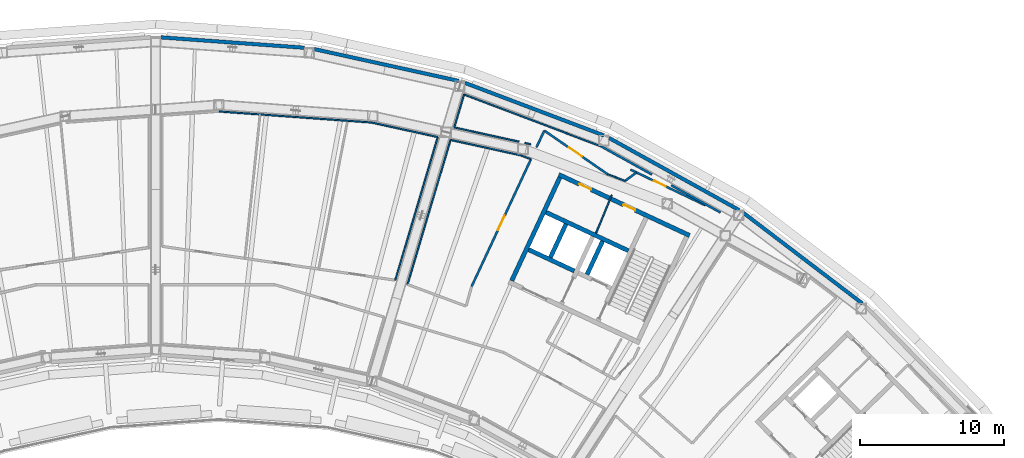
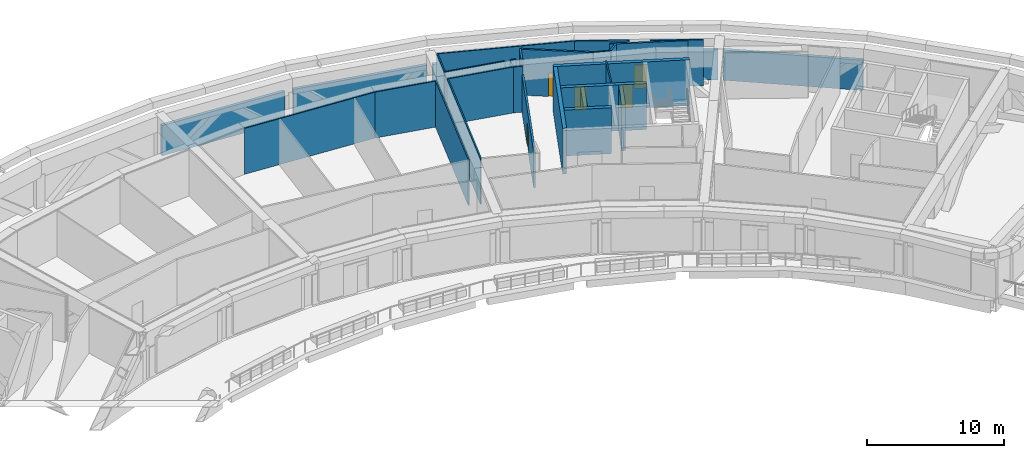
# One storey, part 12 of 26: 30 walls, 5 doors, 5 openings.
"""IFC4 building model written with IfcOpenShell, lengths in metres."""

from ifc_helpers import new_model, si_unit, direction, frame, frame_2d, origin, place, context, subcontext, project, spatial, rectangle, extrude, material, layer, layer_set, type_object, element, fill, save


model = new_model("IFC4")

# Units and contexts
model_context = context("Model", 3, precision=1e-05, world=origin(), true_north=direction((0.0, 1.0)))
body_context = subcontext(model_context, "Body", "Model", "MODEL_VIEW")
ifc_project = project(units=[si_unit("LENGTHUNIT", "METRE"), si_unit("AREAUNIT", "SQUARE_METRE"), si_unit("VOLUMEUNIT", "CUBIC_METRE"), si_unit("PLANEANGLEUNIT", "RADIAN"), si_unit("MASSUNIT", "GRAM", prefix="KILO")], contexts=[model_context])

# Site, building, storey
site_placement = place(None, origin())
site = spatial("IfcSite", under=ifc_project, at=site_placement, CompositionType="ELEMENT")
building_placement = place(site_placement, origin())
building = spatial("IfcBuilding", under=site, at=building_placement, Name="Tuul Gate Civic Tower", CompositionType="ELEMENT")
storey_placement = place(building_placement, frame((0.0, 0.0, 167.60009765625)))
storey = spatial("IfcBuildingStorey", under=building, at=storey_placement, Name="Plant and refuge floor 5", CompositionType="ELEMENT", Elevation=167.60009765625)

# Walls
ifc_material_1 = material(Name="Concrete C50/60", Category="concrete")
ifc_layer_1 = layer(ifc_material_1, 0.300048828125)
ifc_layer_set_1 = layer_set([ifc_layer_1], Name="Concrete C50/60")
wall_type_1 = type_object("IfcWallType", Name="Core wall C50/60", PredefinedType="SHEAR", material=ifc_layer_set_1)
wall_1_placement = place(storey_placement, frame((30.0078125, -2.2734375, 0.0), z_axis=(0.0, 0.0, 1.0), x_axis=(-0.90630071767, 0.422633421716, 0.0)))
element("IfcWall", 1, at=wall_1_placement, inside=storey, type_object=wall_type_1, Name="Core wall", PredefinedType="SHEAR", context=body_context, shape_type="SweptSolid", body=[
    extrude(rectangle(XDim=3.5, YDim=0.300048828125, at=frame_2d((1.75, 0.0))), origin(), (0.0, 0.0, 1.0), 4.099853515625),
])
wall_2_placement = place(storey_placement, frame((33.75, -0.873779296875, 0.0), z_axis=(0.0, 0.0, 1.0), x_axis=(-0.906300917592, 0.422632992999, 0.0)))
element("IfcWall", 2, at=wall_2_placement, inside=storey, type_object=wall_type_1, Name="Core wall", PredefinedType="SHEAR", context=body_context, shape_type="SweptSolid", body=[
    extrude(rectangle(XDim=6.300048828125, YDim=0.300048828125, at=frame_2d((3.14990234375, 0.0))), origin(), (0.0, 0.0, 1.0), 4.099853515625),
])

# Wall, openings, doors
wall_3_placement = place(storey_placement, frame((37.993408203125, 0.181884765625, 0.0), z_axis=(0.0, 0.0, 1.0), x_axis=(-0.906310338845, 0.422612789327, 0.0)))
wall_3 = element("IfcWall", 3, at=wall_3_placement, inside=storey, type_object=wall_type_1, Name="Core wall", PredefinedType="SHEAR", context=body_context, shape_type="SweptSolid", body=[
    extrude(rectangle(XDim=9.999755859375, YDim=0.300048828125, at=frame_2d((5.0, 0.0))), origin(), (0.0, 0.0, 1.0), 4.099853515625),
])
opening_1_placement = place(wall_3_placement, frame((4.14990234375, 0.0, 0.0)))
opening_1 = element("IfcOpeningElement", 4, at=opening_1_placement, cuts=wall_3, Name="Opening PB-D31", PredefinedType="OPENING", context=body_context, shape_type="SweptSolid", body=[
    extrude(rectangle(XDim=0.89990234375, YDim=2.10009765625, at=frame_2d((0.449951171875, 1.050048828125))), frame((0.0, 0.16015625, 0.0), z_axis=(0.0, -1.0, 0.0), x_axis=(1.0, 0.0, 0.0)), (0.0, 0.0, 1.0), 0.320068359375),
])
opening_2_placement = place(wall_3_placement, frame((7.52490234375, 0.0, 0.0)))
opening_2 = element("IfcOpeningElement", 5, at=opening_2_placement, cuts=wall_3, Name="Opening PB-D32", PredefinedType="OPENING", context=body_context, shape_type="SweptSolid", body=[
    extrude(rectangle(XDim=0.89990234375, YDim=2.10009765625, at=frame_2d((0.449951171875, 1.050048828125))), frame((0.0, 0.16015625, 0.0), z_axis=(0.0, -1.0, 0.0), x_axis=(1.0, 0.0, 0.0)), (0.0, 0.0, 1.0), 0.320068359375),
])
ifc_material_2 = material(Name="Timber door leaf", Category="wood")
door_type_1 = type_object("IfcDoorType", Name="Door D09", OperationType="NOTDEFINED", PredefinedType="DOOR", material=ifc_material_2)
door_1_placement = place(opening_1_placement, origin())
door_1 = element("IfcDoor", 6, at=door_1_placement, inside=storey, type_object=door_type_1, Name="Door PB-D31", OperationType="SINGLE_SWING_LEFT", OverallHeight=2.10009765625, OverallWidth=0.89990234375, PredefinedType="DOOR", context=body_context, shape_type="SweptSolid", body=[
    extrude(rectangle(XDim=0.89990234375, YDim=2.10009765625, at=frame_2d((0.449951171875, 1.050048828125))), frame((0.0, 0.02490234375, 0.0), z_axis=(0.0, -1.0, 0.0), x_axis=(1.0, 0.0, 0.0)), (0.0, 0.0, 1.0), 0.050048828125),
])
fill(opening_1, door_1)
door_2_placement = place(opening_2_placement, origin())
door_2 = element("IfcDoor", 7, at=door_2_placement, inside=storey, type_object=door_type_1, Name="Door PB-D32", OperationType="SINGLE_SWING_RIGHT", OverallHeight=2.10009765625, OverallWidth=0.89990234375, PredefinedType="DOOR", context=body_context, shape_type="SweptSolid", body=[
    extrude(rectangle(XDim=0.89990234375, YDim=2.10009765625, at=frame_2d((0.449951171875, 1.050048828125))), frame((0.0, 0.02490234375, 0.0), z_axis=(0.0, -1.0, 0.0), x_axis=(1.0, 0.0, 0.0)), (0.0, 0.0, 1.0), 0.050048828125),
])
fill(opening_2, door_2)

# Walls
for number, where, z_axis, x_axis, name in (
    (8, (30.886962890625, -2.517822265625, 0.0), (0.0, 0.0, 1.0), (0.422612891016, 0.906310291427, 0.0), "Core wall"),
    (9, (28.349365234375, -1.33447265625, 0.0), (0.0, 0.0, 1.0), (0.422612891016, 0.906310291427, 0.0), "Core wall"),
):
    element("IfcWall", number, at=place(storey_placement, frame(where, z_axis=z_axis, x_axis=x_axis)), inside=storey, type_object=wall_type_1, Name=name, PredefinedType="SHEAR", context=body_context, shape_type="SweptSolid", body=[
        extrude(rectangle(XDim=2.550048828125, YDim=0.300048828125, at=frame_2d((1.27490234375, 0.0))), origin(), (0.0, 0.0, 1.0), 4.099853515625),
    ])
wall_4_placement = place(storey_placement, frame((25.66455078125, -2.951416015625, 0.0), z_axis=(0.0, 0.0, 1.0), x_axis=(0.422582604137, 0.906324413596, 0.0)))
element("IfcWall", 10, at=wall_4_placement, inside=storey, type_object=wall_type_1, Name="Core wall", PredefinedType="SHEAR", context=body_context, shape_type="SweptSolid", body=[
    extrude(rectangle(XDim=7.89990234375, YDim=0.300048828125, at=frame_2d((3.949951171875, 0.0))), origin(), (0.0, 0.0, 1.0), 4.099853515625),
])
ifc_material_3 = material(Name="Gypsum board partition")
ifc_layer_2 = layer(ifc_material_3, 0.14990234375)
ifc_layer_set_2 = layer_set([ifc_layer_2], Name="Gypsum board partition")
wall_type_2 = type_object("IfcWallType", Name="Corridor wall P150", PredefinedType="PARTITIONING", material=ifc_layer_set_2)
wall_5_placement = place(storey_placement, frame((33.52490234375, 3.9677734375, 0.0), z_axis=(0.0, 0.0, 1.0), x_axis=(0.803689489402, 0.595048909439, 0.0)))
element("IfcWall", 11, at=wall_5_placement, inside=storey, type_object=wall_type_2, Name="p004", PredefinedType="PARTITIONING", context=body_context, shape_type="SweptSolid", body=[
    extrude(rectangle(XDim=0.98046875, YDim=0.14990234375, at=frame_2d((0.490234375, 0.0))), origin(), (0.0, 0.0, 1.0), 4.099853515625),
])

# Wall, opening, door
wall_6_placement = place(storey_placement, frame((27.92333984375, 7.45263671875, 0.0), z_axis=(0.0, 0.0, 1.0), x_axis=(0.823727446917, -0.566985972662, 0.0)))
wall_6 = element("IfcWall", 12, at=wall_6_placement, inside=storey, type_object=wall_type_2, Name="p006", PredefinedType="PARTITIONING", context=body_context, shape_type="SweptSolid", body=[
    extrude(rectangle(XDim=5.347900390625, YDim=0.14990234375, at=frame_2d((2.673828125, 0.0))), origin(), (0.0, 0.0, 1.0), 4.099853515625),
])
opening_3_placement = place(wall_6_placement, frame((2.0869140625, 0.0, 0.0)))
opening_3 = element("IfcOpeningElement", 13, at=opening_3_placement, cuts=wall_6, Name="Opening PB-D25", PredefinedType="OPENING", context=body_context, shape_type="SweptSolid", body=[
    extrude(rectangle(XDim=1.10009765625, YDim=2.10009765625, at=frame_2d((0.550048828125, 1.050048828125))), frame((0.0, 0.0849609375, 0.0), z_axis=(0.0, -1.0, 0.0), x_axis=(1.0, 0.0, 0.0)), (0.0, 0.0, 1.0), 0.169921875),
])
ifc_material_4 = material(Name="Timber door leaf", Category="wood")
door_type_2 = type_object("IfcDoorType", Name="Door D11", OperationType="NOTDEFINED", PredefinedType="DOOR", material=ifc_material_4)
door_3_placement = place(opening_3_placement, frame((1.10009765625, 0.0, 0.0), z_axis=(0.0, 0.0, 1.0), x_axis=(-1.0, 0.0, 0.0)))
door_3 = element("IfcDoor", 14, at=door_3_placement, inside=storey, type_object=door_type_2, Name="Door PB-D25", OperationType="SINGLE_SWING_LEFT", OverallHeight=2.10009765625, OverallWidth=1.10009765625, PredefinedType="DOOR", context=body_context, shape_type="SweptSolid", body=[
    extrude(rectangle(XDim=1.10009765625, YDim=2.10009765625, at=frame_2d((0.550048828125, 1.050048828125))), frame((0.0, 0.02490234375, 0.0), z_axis=(0.0, -1.0, 0.0), x_axis=(1.0, 0.0, 0.0)), (0.0, 0.0, 1.0), 0.050048828125),
])
fill(opening_3, door_3)

# Walls
wall_7_placement = place(storey_placement, frame((27.38134765625, 6.291259765625, 0.0), z_axis=(0.0, 0.0, 1.0), x_axis=(0.422499413158, 0.906363197555, 0.0)))
element("IfcWall", 15, at=wall_7_placement, inside=storey, type_object=wall_type_2, Name="p008", PredefinedType="PARTITIONING", context=body_context, shape_type="SweptSolid", body=[
    extrude(rectangle(XDim=1.281005859375, YDim=0.14990234375, at=frame_2d((0.640625, 0.0))), origin(), (0.0, 0.0, 1.0), 4.099853515625),
])
wall_8_placement = place(storey_placement, frame((31.8642578125, 6.360595703125, 0.0), z_axis=(0.0, 0.0, 1.0), x_axis=(0.874596677009, -0.484851165374, 0.0)))
element("IfcWall", 16, at=wall_8_placement, inside=storey, type_object=wall_type_2, Name="p009", PredefinedType="PARTITIONING", context=body_context, shape_type="SweptSolid", body=[
    extrude(rectangle(XDim=4.03271484375, YDim=0.14990234375, at=frame_2d((2.016357421875, 0.0))), origin(), (0.0, 0.0, 1.0), 4.099853515625),
])

# Wall, opening, door
wall_9_placement = place(storey_placement, frame((33.8916015625, 4.752685546875, 0.0), z_axis=(0.0, 0.0, 1.0), x_axis=(0.902620130334, -0.430438033073, 0.0)))
wall_9 = element("IfcWall", 17, at=wall_9_placement, inside=storey, type_object=wall_type_2, Name="p010", PredefinedType="PARTITIONING", context=body_context, shape_type="SweptSolid", body=[
    extrude(rectangle(XDim=5.7666015625, YDim=0.14990234375, at=frame_2d((2.88330078125, 0.0))), origin(), (0.0, 0.0, 1.0), 4.099853515625),
])
opening_4_placement = place(wall_9_placement, frame((1.80810546875, 0.0, 0.0)))
opening_4 = element("IfcOpeningElement", 18, at=opening_4_placement, cuts=wall_9, Name="Opening PB-D02", PredefinedType="OPENING", context=body_context, shape_type="SweptSolid", body=[
    extrude(rectangle(XDim=0.89990234375, YDim=2.10009765625, at=frame_2d((0.449951171875, 1.050048828125))), frame((0.0, 0.0849609375, 0.0), z_axis=(0.0, -1.0, 0.0), x_axis=(1.0, 0.0, 0.0)), (0.0, 0.0, 1.0), 0.169921875),
])
door_4_placement = place(opening_4_placement, origin())
door_4 = element("IfcDoor", 19, at=door_4_placement, inside=storey, type_object=door_type_1, Name="Door PB-D02", OperationType="SINGLE_SWING_RIGHT", OverallHeight=2.10009765625, OverallWidth=0.89990234375, PredefinedType="DOOR", context=body_context, shape_type="SweptSolid", body=[
    extrude(rectangle(XDim=0.89990234375, YDim=2.10009765625, at=frame_2d((0.449951171875, 1.050048828125))), frame((0.0, 0.02490234375, 0.0), z_axis=(0.0, -1.0, 0.0), x_axis=(1.0, 0.0, 0.0)), (0.0, 0.0, 1.0), 0.050048828125),
])
fill(opening_4, door_4)

# Wall
wall_10_placement = place(storey_placement, frame((36.713623046875, 3.672119140625, 0.0), z_axis=(0.0, 0.0, 1.0), x_axis=(0.874592668389, -0.484858396235, 0.0)))
element("IfcWall", 20, at=wall_10_placement, inside=storey, type_object=wall_type_2, Name="p009", PredefinedType="PARTITIONING", context=body_context, shape_type="SweptSolid", body=[
    extrude(rectangle(XDim=3.911376953125, YDim=0.14990234375, at=frame_2d((1.95556640625, 0.0))), origin(), (0.0, 0.0, 1.0), 4.099853515625),
])

# Wall, opening, door
ifc_material_5 = material(Name="Gypsum board partition")
ifc_layer_3 = layer(ifc_material_5, 0.14990234375)
ifc_layer_set_3 = layer_set([ifc_layer_3], Name="Gypsum board partition")
wall_type_3 = type_object("IfcWallType", Name="Corridor wall P150 3300 HIGH", PredefinedType="PARTITIONING", material=ifc_layer_set_3)
wall_11_placement = place(storey_placement, frame((22.885986328125, -3.35009765625, 0.0), z_axis=(0.0, 0.0, 1.0), x_axis=(0.422580667623, 0.906325316513, 0.0)))
wall_11 = element("IfcWall", 21, at=wall_11_placement, inside=storey, type_object=wall_type_3, Name="p007", PredefinedType="PARTITIONING", context=body_context, shape_type="SweptSolid", body=[
    extrude(rectangle(XDim=9.7353515625, YDim=0.14990234375, at=frame_2d((4.86767578125, 0.0))), origin(), (0.0, 0.0, 1.0), 3.2998046875),
])
opening_5_placement = place(wall_11_placement, frame((4.317626953125, 0.0, 0.0)))
opening_5 = element("IfcOpeningElement", 22, at=opening_5_placement, cuts=wall_11, Name="Opening PB-D10", PredefinedType="OPENING", context=body_context, shape_type="SweptSolid", body=[
    extrude(rectangle(XDim=1.10009765625, YDim=2.10009765625, at=frame_2d((0.550048828125, 1.050048828125))), frame((0.0, 0.0849609375, 0.0), z_axis=(0.0, -1.0, 0.0), x_axis=(1.0, 0.0, 0.0)), (0.0, 0.0, 1.0), 0.169921875),
])
door_5_placement = place(opening_5_placement, origin())
door_5 = element("IfcDoor", 23, at=door_5_placement, inside=storey, type_object=door_type_2, Name="Door PB-D10", OperationType="SINGLE_SWING_RIGHT", OverallHeight=2.10009765625, OverallWidth=1.10009765625, PredefinedType="DOOR", context=body_context, shape_type="SweptSolid", body=[
    extrude(rectangle(XDim=1.10009765625, YDim=2.10009765625, at=frame_2d((0.550048828125, 1.050048828125))), frame((0.0, 0.02490234375, 0.0), z_axis=(0.0, -1.0, 0.0), x_axis=(1.0, 0.0, 0.0)), (0.0, 0.0, 1.0), 0.050048828125),
])
fill(opening_5, door_5)

# Walls
ifc_material_6 = material(Name="Precast concrete C40/50", Category="concrete")
ifc_layer_4 = layer(ifc_material_6, 0.25)
ifc_layer_set_4 = layer_set([ifc_layer_4], Name="Precast concrete C40/50")
wall_type_4 = type_object("IfcWallType", Name="External wall 2700 HIGH", PredefinedType="STANDARD", material=ifc_layer_set_4)
wall_12_placement = place(storey_placement, frame((49.9638671875, -4.52490234375, 0.0), z_axis=(0.0, 0.0, 1.0), x_axis=(-0.79562149507, 0.605794054595, 0.0)))
element("IfcWall", 24, at=wall_12_placement, inside=storey, type_object=wall_type_4, Name="External wall", PredefinedType="STANDARD", context=body_context, shape_type="SweptSolid", body=[
    extrude(rectangle(XDim=10.333984375, YDim=0.25, at=frame_2d((5.1669921875, 0.0))), origin(), (0.0, 0.0, 1.0), 2.699951171875),
])
wall_13_placement = place(storey_placement, frame((41.431640625, 1.943115234375, 0.0), z_axis=(0.0, 0.0, 1.0), x_axis=(-0.874636614574, 0.484779117173, 0.0)))
element("IfcWall", 25, at=wall_13_placement, inside=storey, type_object=wall_type_4, Name="External wall", PredefinedType="STANDARD", context=body_context, shape_type="SweptSolid", body=[
    extrude(rectangle(XDim=10.321533203125, YDim=0.25, at=frame_2d((5.16064453125, 0.0))), origin(), (0.0, 0.0, 1.0), 2.699951171875),
])
wall_14_placement = place(storey_placement, frame((32.045654296875, 7.1201171875, 0.0), z_axis=(0.0, 0.0, 1.0), x_axis=(-0.935347981429, 0.353728926773, 0.0)))
element("IfcWall", 26, at=wall_14_placement, inside=storey, type_object=wall_type_4, Name="External wall", PredefinedType="STANDARD", context=body_context, shape_type="SweptSolid", body=[
    extrude(rectangle(XDim=10.294189453125, YDim=0.25, at=frame_2d((5.14697265625, 0.0))), origin(), (0.0, 0.0, 1.0), 2.699951171875),
])
wall_15_placement = place(storey_placement, frame((21.99072265625, 10.89599609375, 0.0), z_axis=(0.0, 0.0, 1.0), x_axis=(-0.976568070975, 0.215208742275, 0.0)))
element("IfcWall", 27, at=wall_15_placement, inside=storey, type_object=wall_type_4, Name="External wall", PredefinedType="STANDARD", context=body_context, shape_type="SweptSolid", body=[
    extrude(rectangle(XDim=10.24169921875, YDim=0.25, at=frame_2d((5.120849609375, 0.0))), origin(), (0.0, 0.0, 1.0), 2.699951171875),
])
wall_16_placement = place(storey_placement, frame((11.31298828125, 13.194091796875, 0.0), z_axis=(0.0, 0.0, 1.0), x_axis=(-0.997388442389, 0.072223922558, 0.0)))
element("IfcWall", 28, at=wall_16_placement, inside=storey, type_object=wall_type_4, Name="External wall", PredefinedType="STANDARD", context=body_context, shape_type="SweptSolid", body=[
    extrude(rectangle(XDim=9.9990234375, YDim=0.25, at=frame_2d((4.99951171875, 0.0))), origin(), (0.0, 0.0, 1.0), 2.699951171875),
])
ifc_material_7 = material(Name="Gypsum board partition")
ifc_layer_5 = layer(ifc_material_7, 0.10009765625)
ifc_layer_set_5 = layer_set([ifc_layer_5], Name="Gypsum board partition")
wall_type_5 = type_object("IfcWallType", Name="Partition P100", PredefinedType="PARTITIONING", material=ifc_layer_set_5)
wall_17_placement = place(storey_placement, frame((33.52490234375, 3.9677734375, 0.0), z_axis=(0.0, 0.0, 1.0), x_axis=(-0.935289672437, 0.353883071979, 0.0)))
element("IfcWall", 29, at=wall_17_placement, inside=storey, type_object=wall_type_5, Name="p064", PredefinedType="PARTITIONING", context=body_context, shape_type="SweptSolid", body=[
    extrude(rectangle(XDim=1.279052734375, YDim=0.10009765625, at=frame_2d((0.6396484375, 0.0))), origin(), (0.0, 0.0, 1.0), 4.099853515625),
])
wall_18_placement = place(storey_placement, frame((26.9873046875, 6.504638671875, 0.0), z_axis=(0.0, 0.0, 1.0), x_axis=(-0.976570782862, 0.215196435984, 0.0)))
element("IfcWall", 30, at=wall_18_placement, inside=storey, type_object=wall_type_5, Name="p065", PredefinedType="PARTITIONING", context=body_context, shape_type="SweptSolid", body=[
    extrude(rectangle(XDim=0.41748046875, YDim=0.10009765625, at=frame_2d((0.208740234375, 0.0))), origin(), (0.0, 0.0, 1.0), 4.099853515625),
])
wall_19_placement = place(storey_placement, frame((26.167724609375, 6.685302734375, 0.0), z_axis=(0.0, 0.0, 1.0), x_axis=(-0.976569458542, 0.215202445719, 0.0)))
element("IfcWall", 31, at=wall_19_placement, inside=storey, type_object=wall_type_5, Name="p066", PredefinedType="PARTITIONING", context=body_context, shape_type="SweptSolid", body=[
    extrude(rectangle(XDim=4.593505859375, YDim=0.10009765625, at=frame_2d((2.296875, 0.0))), origin(), (0.0, 0.0, 1.0), 4.099853515625),
])
wall_20_placement = place(storey_placement, frame((21.681884765625, 7.673828125, 0.0), z_axis=(0.0, 0.0, 1.0), x_axis=(0.285181769127, 0.958473452192, 0.0)))
element("IfcWall", 32, at=wall_20_placement, inside=storey, type_object=wall_type_5, Name="p067", PredefinedType="PARTITIONING", context=body_context, shape_type="SweptSolid", body=[
    extrude(rectangle(XDim=2.379150390625, YDim=0.10009765625, at=frame_2d((1.189453125, 0.0))), origin(), (0.0, 0.0, 1.0), 4.099853515625),
])
wall_21_placement = place(storey_placement, frame((22.3603515625, 9.9541015625, 0.0), z_axis=(0.0, 0.0, 1.0), x_axis=(0.935369846422, -0.353671104847, 0.0)))
element("IfcWall", 33, at=wall_21_placement, inside=storey, type_object=wall_type_5, Name="p068", PredefinedType="PARTITIONING", context=body_context, shape_type="SweptSolid", body=[
    extrude(rectangle(XDim=10.16064453125, YDim=0.10009765625, at=frame_2d((5.080322265625, 0.0))), origin(), (0.0, 0.0, 1.0), 4.099853515625),
])
wall_22_placement = place(storey_placement, frame((18.444091796875, -3.206787109375, 0.0), z_axis=(0.0, 0.0, 1.0), x_axis=(0.285199427031, 0.958468198127, 0.0)))
element("IfcWall", 34, at=wall_22_placement, inside=storey, type_object=wall_type_5, Name="p088", PredefinedType="PARTITIONING", context=body_context, shape_type="SweptSolid", body=[
    extrude(rectangle(XDim=10.44970703125, YDim=0.10009765625, at=frame_2d((5.224853515625, 0.0))), origin(), (0.0, 0.0, 1.0), 4.099853515625),
])
wall_23_placement = place(storey_placement, frame((21.42431640625, 6.808837890625, 0.0), z_axis=(0.0, 0.0, 1.0), x_axis=(0.976569226925, -0.215203496772, 0.0)))
element("IfcWall", 35, at=wall_23_placement, inside=storey, type_object=wall_type_5, Name="p089", PredefinedType="PARTITIONING", context=body_context, shape_type="SweptSolid", body=[
    extrude(rectangle(XDim=5.015380859375, YDim=0.10009765625, at=frame_2d((2.5078125, 0.0))), origin(), (0.0, 0.0, 1.0), 4.099853515625),
])
wall_24_placement = place(storey_placement, frame((26.322265625, 5.7294921875, 0.0), z_axis=(0.0, 0.0, 1.0), x_axis=(0.935439906875, -0.353485757317, 0.0)))
element("IfcWall", 36, at=wall_24_placement, inside=storey, type_object=wall_type_5, Name="p090", PredefinedType="PARTITIONING", context=body_context, shape_type="SweptSolid", body=[
    extrude(rectangle(XDim=0.724609375, YDim=0.10009765625, at=frame_2d((0.3623046875, 0.0))), origin(), (0.0, 0.0, 1.0), 4.099853515625),
])
wall_25_placement = place(storey_placement, frame((5.3740234375, 8.78076171875, 0.0), z_axis=(0.0, 0.0, 1.0), x_axis=(0.997382223573, -0.072309751077, 0.0)))
element("IfcWall", 37, at=wall_25_placement, inside=storey, type_object=wall_type_5, Name="p091", PredefinedType="PARTITIONING", context=body_context, shape_type="SweptSolid", body=[
    extrude(rectangle(XDim=10.61181640625, YDim=0.10009765625, at=frame_2d((5.305908203125, 0.0))), origin(), (0.0, 0.0, 1.0), 4.099853515625),
])
wall_26_placement = place(storey_placement, frame((15.9580078125, 8.013427734375, 0.0), z_axis=(0.0, 0.0, 1.0), x_axis=(0.976576985694, -0.215168285331, 0.0)))
element("IfcWall", 38, at=wall_26_placement, inside=storey, type_object=wall_type_5, Name="p092", PredefinedType="PARTITIONING", context=body_context, shape_type="SweptSolid", body=[
    extrude(rectangle(XDim=4.695068359375, YDim=0.10009765625, at=frame_2d((2.34765625, 0.0))), origin(), (0.0, 0.0, 1.0), 4.099853515625),
])
wall_27_placement = place(storey_placement, frame((20.543212890625, 7.003173828125, 0.0), z_axis=(0.0, 0.0, 1.0), x_axis=(-0.285204049384, -0.958466822699, 0.0)))
element("IfcWall", 39, at=wall_27_placement, inside=storey, type_object=wall_type_5, Name="p093", PredefinedType="PARTITIONING", context=body_context, shape_type="SweptSolid", body=[
    extrude(rectangle(XDim=10.3466796875, YDim=0.10009765625, at=frame_2d((5.17333984375, 0.0))), origin(), (0.0, 0.0, 1.0), 4.099853515625),
])
wall_28_placement = place(storey_placement, frame((31.502197265625, 0.33984375, 0.0), z_axis=(0.0, 0.0, 1.0), x_axis=(0.382171757352, 0.924091309278, 0.0)))
element("IfcWall", 40, at=wall_28_placement, inside=storey, type_object=wall_type_5, Name="bE3-BAND-0", PredefinedType="PARTITIONING", context=body_context, shape_type="SweptSolid", body=[
    extrude(rectangle(XDim=2.874755859375, YDim=0.10009765625, at=frame_2d((1.4375, 0.0))), origin(), (0.0, 0.0, 1.0), 4.099853515625),
])

save(model, "model.ifc")
